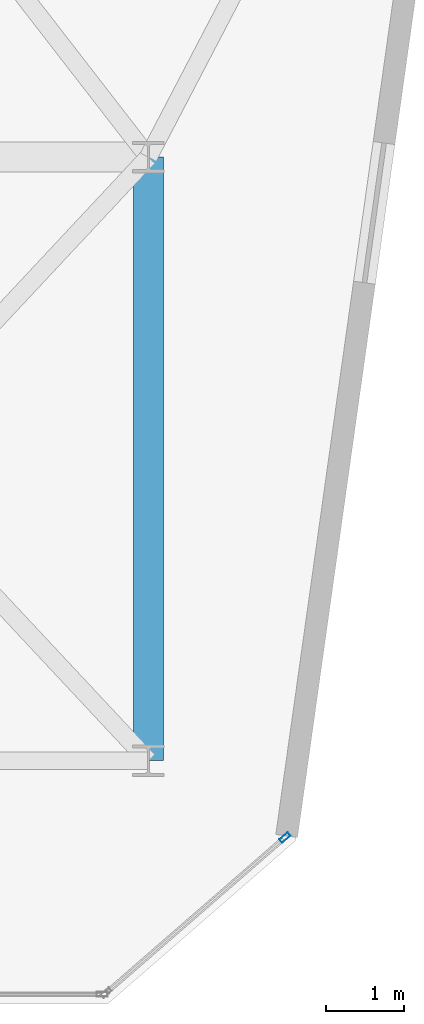
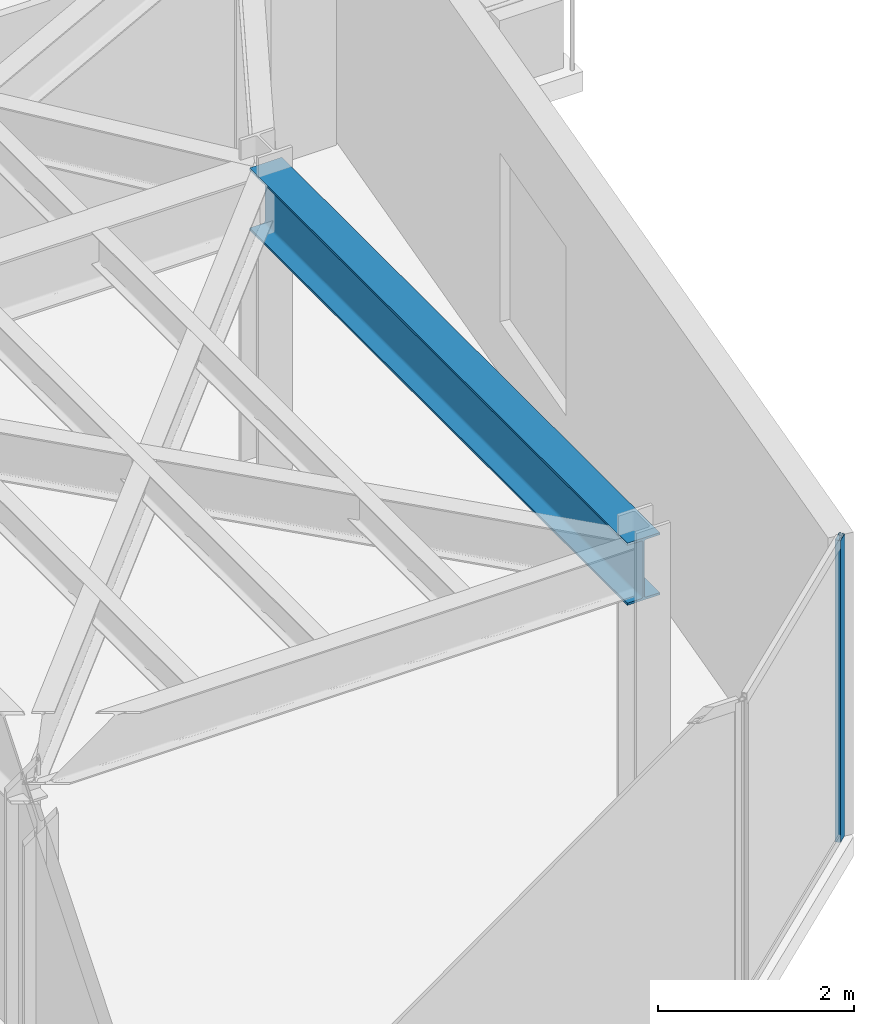
# One storey, part 14 of 21: 1 beam, 1 member, 1 element without a shape of its own.
"""IFC4 building model written with IfcOpenShell, lengths in metres."""

from ifc_helpers import new_model, si_unit, direction, frame, origin, origin_2d, place, context, subcontext, project, spatial, hollow_rectangle, i_section, extrude, material, layer, layer_set, material_profile, profile_set, type_object, element, aggregate, save


model = new_model("IFC4")

# Units and contexts
model_context = context("Model", 3, precision=1e-05, world=origin(), true_north=direction((0.0, 1.0)))
body_context = subcontext(model_context, "Body", "Model", "MODEL_VIEW")
ifc_project = project(units=[si_unit("LENGTHUNIT", "METRE"), si_unit("AREAUNIT", "SQUARE_METRE"), si_unit("VOLUMEUNIT", "CUBIC_METRE"), si_unit("PLANEANGLEUNIT", "RADIAN"), si_unit("MASSUNIT", "GRAM", prefix="KILO")], contexts=[model_context])

# Site, building, storey
site_placement = place(None, origin())
site = spatial("IfcSite", under=ifc_project, at=site_placement, CompositionType="ELEMENT")
building_placement = place(site_placement, origin())
building = spatial("IfcBuilding", under=site, at=building_placement, Name="Kravanh Interchange Tower", CompositionType="ELEMENT")
storey_placement = place(building_placement, frame((0.0, 0.0, 208.5)))
storey = spatial("IfcBuildingStorey", under=building, at=storey_placement, Name="L50", CompositionType="ELEMENT", Elevation=208.5)

# Curtain wall, member
ifc_material_1 = material(Name="Anodised Bronze Aluminium", Category="aluminium")
ifc_layer = layer(ifc_material_1, 0.179931640625)
ifc_layer_set = layer_set([ifc_layer], Name="Unitised Curtain Wall System CW-Z3 Upper Office")
curtain_wall_type = type_object("IfcCurtainWallType", Name="Unitised Curtain Wall System CW-Z3 Upper Office", PredefinedType="NOTDEFINED", material=ifc_layer_set)
curtain_wall_placement = place(storey_placement, origin())
curtain_wall = element("IfcCurtainWall", 1, at=curtain_wall_placement, inside=storey, type_object=curtain_wall_type, Name="L50 Unitised Curtain Wall CW-L50-01", PredefinedType="NOTDEFINED")
ifc_material_2 = material(Name="Anodised Bronze Aluminium", Category="aluminium")
ifc_material_profile_1 = material_profile(ifc_material_2, hollow_rectangle(XDim=0.06005859375, YDim=0.139892578125, WallThickness=0.00390625, at=origin_2d()), Name="ALU60X140X4")
ifc_profile_set_1 = profile_set([ifc_material_profile_1], Name="Anodised Bronze Aluminium")
member_type = type_object("IfcMemberType", Name="Curtain Wall Mullion ALU60X140X4 Bronze", PredefinedType="MULLION", material=ifc_profile_set_1)
member_placement = place(storey_placement, frame((64.94287109375, 13.52099609375, 0.0), z_axis=(0.0, 0.0, 1.0), x_axis=(0.65605090137, -0.754716645379, 0.0)))
member = element("IfcMember", 2, at=member_placement, type_object=member_type, Name="CW-Z3 mullion 1", PredefinedType="MULLION", context=body_context, shape_type="SweptSolid", body=[
    extrude(hollow_rectangle(XDim=0.06005859375, YDim=0.139892578125, WallThickness=0.00390625, at=origin_2d()), origin(), (0.0, 0.0, 1.0), 3.7548828125),
])
aggregate(curtain_wall, [member])

# Beam
ifc_material_3 = material(Name="Structural Steel S355", Category="steel")
ifc_material_profile_2 = material_profile(ifc_material_3, i_section(OverallWidth=0.381103515625, OverallDepth=0.77294921875, WebThickness=0.0166015625, FlangeThickness=0.027099609375, FilletRadius=0.02490234375, at=origin_2d()), Name="W30X173")
ifc_profile_set_2 = profile_set([ifc_material_profile_2], Name="Structural Steel S355")
beam_type = type_object("IfcBeamType", Name="Floor Beam W30X173 Structural Steel S355", PredefinedType="BEAM", material=ifc_profile_set_2)
beam_placement = place(storey_placement, frame((63.199951171875, 14.5, 3.368408203125), z_axis=(0.0, 1.0, 0.0), x_axis=(-1.0, 0.0, 0.0)))
element("IfcBeam", 3, at=beam_placement, inside=storey, type_object=beam_type, Name="L50 Primary Floor Girder 89", PredefinedType="BEAM", context=body_context, shape_type="SweptSolid", body=[
    extrude(i_section(OverallWidth=0.381103515625, OverallDepth=0.77294921875, WebThickness=0.0166015625, FlangeThickness=0.027099609375, FilletRadius=0.02490234375, at=origin_2d()), origin(), (0.0, 0.0, 1.0), 7.699951171875),
])

save(model, "model.ifc")
